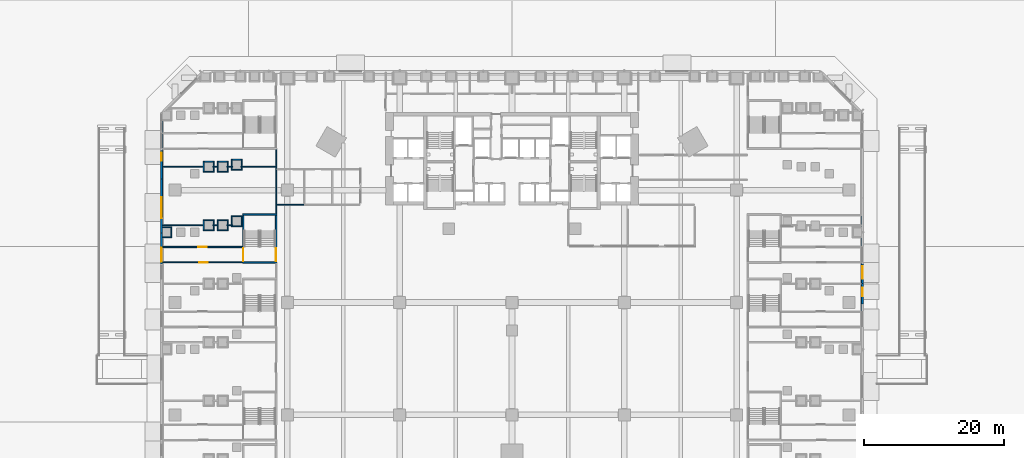
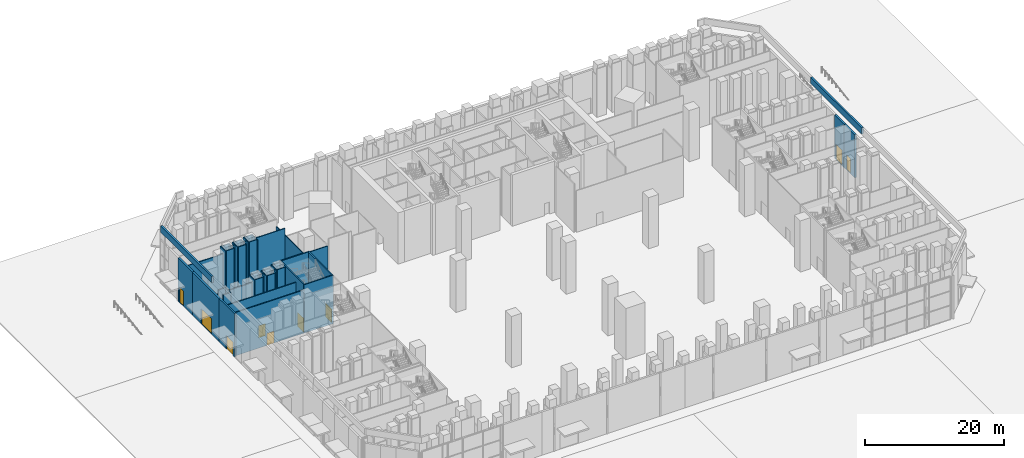
# One storey, part 23 of 51: 49 walls, 9 doors, 9 openings.
"""IFC4 building model written with IfcOpenShell, lengths in metres."""

import ifcopenshell
import ifcopenshell.guid

model = None  # the IFC model being written
_history = None  # IfcOwnerHistory: only IFC2X3 demands one
_inside = {}  # id of a spatial element -> (the spatial element, [elements in it])
_under = {}  # id of a project, library or spatial element -> (it, [spatial elements below it])
_declared = {}  # id of a project -> (the project, [libraries it declares])
_typed = {}  # id of a type object -> (the type object, [elements of that type])
_made_of = {}  # id of a material, layer set ... -> (it, [elements and type objects made of it])


def new_model(schema):
    """Start an empty IFC model of exactly this schema.

    Asked for "IFC4X3", IfcOpenShell would pick the latest addendum, in which some entities
    have other attributes; the version numbers below select the first issue.
    IFC2X3 requires an IfcOwnerHistory on every rooted entity: one is made here for all.
    """
    global model, _history
    if schema == "IFC4X3":
        model = ifcopenshell.file(schema_version=(4, 3, 0, 0))
    else:
        model = ifcopenshell.file(schema=schema)
    _inside.clear()
    _under.clear()
    _declared.clear()
    _typed.clear()
    _made_of.clear()
    _history = None
    if model.schema == "IFC2X3":
        org = make("IfcOrganization", Name="unknown")
        user = make(
            "IfcPersonAndOrganization",
            ThePerson=make("IfcPerson", FamilyName="unknown"),
            TheOrganization=org,
        )
        app = make(
            "IfcApplication",
            ApplicationDeveloper=org,
            Version="unknown",
            ApplicationFullName="unknown",
            ApplicationIdentifier="unknown",
        )
        _history = make(
            "IfcOwnerHistory",
            OwningUser=user,
            OwningApplication=app,
            ChangeAction="ADDED",
            CreationDate=0,
        )
    return model


def make(cls, **values):
    """One entity of the class cls with the attributes given. An attribute that is None is left unset."""
    return model.create_entity(
        cls, **{name: value for name, value in values.items() if value is not None}
    )


def rooted(cls, **values):
    """An entity with a GlobalId (a new one), such as an element, a storey or a relation."""
    return make(cls, GlobalId=ifcopenshell.guid.new(), OwnerHistory=_history, **values)


def si_unit(unit_type, name, prefix=None):
    """IfcSIUnit, for example si_unit("LENGTHUNIT", "METRE", prefix="MILLI")."""
    return make("IfcSIUnit", UnitType=unit_type, Prefix=prefix, Name=name)


def assignment(units):
    """IfcUnitAssignment: the units of a project."""
    return None if units is None else make("IfcUnitAssignment", Units=units)


def point(xyz):
    """IfcCartesianPoint."""
    return None if xyz is None else make("IfcCartesianPoint", Coordinates=xyz)


def direction(xyz):
    """IfcDirection."""
    return None if xyz is None else make("IfcDirection", DirectionRatios=xyz)


def frame(location, z_axis=None, x_axis=None):
    """IfcAxis2Placement3D, a coordinate frame: its origin and axes. An axis left out is left unset."""
    return make(
        "IfcAxis2Placement3D",
        Location=point(location),
        Axis=direction(z_axis),
        RefDirection=direction(x_axis),
    )


def frame_2d(location, x_axis=None):
    """IfcAxis2Placement2D, a coordinate frame in the plane: its origin and x axis."""
    return make(
        "IfcAxis2Placement2D", Location=point(location), RefDirection=direction(x_axis)
    )


def origin():
    """The frame at (0, 0, 0) with its axes left unset."""
    return frame((0.0, 0.0, 0.0))


def place(relative_to, where):
    """IfcLocalPlacement: puts the frame where relative to a parent placement (None: the world)."""
    return make(
        "IfcLocalPlacement", PlacementRelTo=relative_to, RelativePlacement=where
    )


def context(
    kind, dimensions, precision=None, world=None, true_north=None, identifier=None
):
    """IfcGeometricRepresentationContext, for example the 3D "Model" context."""
    return make(
        "IfcGeometricRepresentationContext",
        ContextIdentifier=identifier,
        ContextType=kind,
        CoordinateSpaceDimension=dimensions,
        Precision=precision,
        WorldCoordinateSystem=world,
        TrueNorth=true_north,
    )


def subcontext(parent, identifier, kind, view, scale=None):
    """IfcGeometricRepresentationSubContext, for example "Body" below "Model"."""
    return make(
        "IfcGeometricRepresentationSubContext",
        ContextIdentifier=identifier,
        ContextType=kind,
        ParentContext=parent,
        TargetScale=scale,
        TargetView=view,
    )


def project(units=None, contexts=None):
    """IfcProject with its units and contexts."""
    return rooted(
        "IfcProject",
        Name="project",
        RepresentationContexts=contexts,
        UnitsInContext=assignment(units),
    )


def spatial(cls, under=None, at=None, **own):
    """A site, building, storey or space (cls), placed at a placement, below another one or the project."""
    s = rooted(cls, ObjectPlacement=at, **own)
    if under is not None:
        _under.setdefault(under.id(), (under, []))[1].append(s)
    return s


def profile(cls, at=None, kind="AREA", **sizes):
    """A parametric profile (cls). Its sizes go by their IFC names, for example OverallWidth=200.0."""
    return make(cls, ProfileType=kind, Position=at, **sizes)


def rectangle(**sizes):
    """IfcRectangleProfileDef."""
    return profile("IfcRectangleProfileDef", **sizes)


def extrude(swept, where, along, depth):
    """IfcExtrudedAreaSolid: the profile swept, set in the frame where, extruded along a direction by depth."""
    return make(
        "IfcExtrudedAreaSolid",
        SweptArea=swept,
        Position=where,
        ExtrudedDirection=direction(along),
        Depth=depth,
    )


def shape(context_of_items, identifier, shape_type, items):
    """IfcShapeRepresentation: the items that make up one representation, for example the "Body"."""
    return make(
        "IfcShapeRepresentation",
        ContextOfItems=context_of_items,
        RepresentationIdentifier=identifier,
        RepresentationType=shape_type,
        Items=items,
    )


def material(Name=None, Category=None):
    """IfcMaterial."""
    return make("IfcMaterial", Name=Name, Category=Category)


def layer(
    of_material, thickness, ventilated=None, Name=None, Category=None, Priority=None
):
    """IfcMaterialLayer: one layer of a wall or slab, of a material (None: an air gap)."""
    return make(
        "IfcMaterialLayer",
        Material=of_material,
        LayerThickness=thickness,
        IsVentilated=ventilated,
        Name=Name,
        Category=Category,
        Priority=Priority,
    )


def layer_set(layers, Name=None):
    """IfcMaterialLayerSet."""
    return make("IfcMaterialLayerSet", MaterialLayers=layers, LayerSetName=Name)


def made_of(thing, what):
    """Note that an element or type object is made of a material, layer set ...; save() writes the relation."""
    if what is not None:
        _made_of.setdefault(what.id(), (what, []))[1].append(thing)
    return thing


def type_object(cls, material=None, **own):
    """A type object (cls), such as IfcWallType, which elements share."""
    return made_of(rooted(cls, **own), material)


def element(
    cls,
    number,
    at=None,
    inside=None,
    cuts=None,
    type_object=None,
    material=None,
    context=None,
    identifier="Body",
    shape_type=None,
    held_by="IfcProductDefinitionShape",
    body=None,
    shapes=None,
    **own,
):
    """One element of the class cls, such as IfcWall. Its Tag is "e" and its number.

    at: its placement. inside: the storey or other place that contains it. cuts: it is an
    opening in that element (IfcRelVoidsElement). A single representation is given by context,
    identifier, shape_type and body (its items); several are given by shapes. held_by: the class
    of the entity that holds the representations. save() writes the other relations.
    """
    e = rooted(cls, Tag="e%d" % number, ObjectPlacement=at, **own)
    if body is not None:
        shapes = [shape(context, identifier, shape_type, body)]
    if shapes is not None:
        e.Representation = make(held_by, Representations=shapes)
    if inside is not None:
        _inside.setdefault(inside.id(), (inside, []))[1].append(e)
    if cuts is not None:
        rooted(
            "IfcRelVoidsElement", RelatingBuildingElement=cuts, RelatedOpeningElement=e
        )
    if type_object is not None:
        _typed.setdefault(type_object.id(), (type_object, []))[1].append(e)
    return made_of(e, material)


def fill(opening, filler):
    """IfcRelFillsElement: the door or window that sits in an opening."""
    return rooted(
        "IfcRelFillsElement",
        RelatingOpeningElement=opening,
        RelatedBuildingElement=filler,
    )


def aggregate(whole, parts):
    """IfcRelAggregates: a whole, such as a stair, and the parts it consists of."""
    return rooted("IfcRelAggregates", RelatingObject=whole, RelatedObjects=parts)


def save(model, path):
    """Write the relations noted so far, then the file.

    IfcRelAggregates (storeys below a building ...), IfcRelContainedInSpatialStructure (elements
    in a storey), IfcRelDefinesByType, IfcRelAssociatesMaterial and IfcRelDeclares: one each for
    every whole, place, type object, material and project.
    """
    for whole, parts in _under.values():
        aggregate(whole, parts)
    for where, things in _inside.values():
        rooted(
            "IfcRelContainedInSpatialStructure",
            RelatedElements=things,
            RelatingStructure=where,
        )
    for kind, things in _typed.values():
        rooted("IfcRelDefinesByType", RelatedObjects=things, RelatingType=kind)
    for what, things in _made_of.values():
        rooted("IfcRelAssociatesMaterial", RelatedObjects=things, RelatingMaterial=what)
    for by, libraries in _declared.values():
        rooted("IfcRelDeclares", RelatingContext=by, RelatedDefinitions=libraries)
    model.write(path)


model = new_model("IFC4")

# Units and contexts
model_context = context("Model", 3, precision=1e-05, world=origin(), true_north=direction((0.0, 1.0)))
body_context = subcontext(model_context, "Body", "Model", "MODEL_VIEW")
ifc_project = project(units=[si_unit("LENGTHUNIT", "METRE"), si_unit("AREAUNIT", "SQUARE_METRE"), si_unit("VOLUMEUNIT", "CUBIC_METRE"), si_unit("PLANEANGLEUNIT", "RADIAN"), si_unit("MASSUNIT", "GRAM", prefix="KILO")], contexts=[model_context])

# Site, building, storey
site_placement = place(None, origin())
site = spatial("IfcSite", under=ifc_project, at=site_placement, CompositionType="ELEMENT")
building_placement = place(site_placement, origin())
building = spatial("IfcBuilding", under=site, at=building_placement, Name="Calabash Gate Tower", CompositionType="ELEMENT")
storey_placement = place(building_placement, origin())
storey = spatial("IfcBuildingStorey", under=building, at=storey_placement, Name="L00", CompositionType="ELEMENT", Elevation=0.0)

# Wall, opening, door
ifc_material_1 = material(Name="Gypsum board on steel studs, mineral wool", Category="steel")
ifc_layer_1 = layer(ifc_material_1, 0.14990234375)
ifc_layer_set_1 = layer_set([ifc_layer_1], Name="Partition 150 gypsum board")
wall_type_1 = type_object("IfcWallType", Name="Partition 150 gypsum board", PredefinedType="PARTITIONING", material=ifc_layer_set_1)
wall_1_placement = place(storey_placement, frame((-49.719970703125, -2.300537109375, 0.0), z_axis=(0.0, 0.0, 1.0), x_axis=(1.0, 0.0, 0.0)))
wall_1 = element("IfcWall", 1, at=wall_1_placement, inside=storey, type_object=wall_type_1, Name="Partition", PredefinedType="PARTITIONING", context=body_context, shape_type="SweptSolid", body=[
    extrude(rectangle(XDim=11.31005859375, YDim=0.15087890625, at=frame_2d((5.655029296875, 0.0))), origin(), (0.0, 0.0, 1.0), 7.60009765625),
])
opening_1_placement = place(wall_1_placement, frame((5.15478515625, 0.0, 0.0)))
opening_1 = element("IfcOpeningElement", 2, at=opening_1_placement, cuts=wall_1, Name="Opening L00-092", PredefinedType="OPENING", context=body_context, shape_type="SweptSolid", body=[
    extrude(rectangle(XDim=1.199951171875, YDim=2.10009765625, at=frame_2d((0.60009765625, 1.050048828125))), frame((0.0, 0.08544921875, 0.0), z_axis=(0.0, -1.0, 0.0), x_axis=(1.0, 0.0, 0.0)), (0.0, 0.0, 1.0), 0.1708984375),
])
ifc_material_2 = material(Name="Steel fire door set with fire-resisting glazing", Category="steel")
door_type_1 = type_object("IfcDoorType", Name="Fire door D09 1200x2100 FD60", OperationType="NOTDEFINED", PredefinedType="DOOR", material=ifc_material_2)
door_1_placement = place(opening_1_placement, origin())
door_1 = element("IfcDoor", 3, at=door_1_placement, inside=storey, type_object=door_type_1, Name="Shop 07 door", OperationType="SINGLE_SWING_LEFT", OverallHeight=2.10009765625, OverallWidth=1.199951171875, PredefinedType="DOOR", context=body_context, shape_type="SweptSolid", body=[
    extrude(rectangle(XDim=1.199951171875, YDim=2.10009765625, at=frame_2d((0.60009765625, 1.050048828125))), frame((0.0, 0.02490234375, 0.0), z_axis=(0.0, -1.0, 0.0), x_axis=(1.0, 0.0, 0.0)), (0.0, 0.0, 1.0), 0.050048828125),
])
fill(opening_1, door_1)

wall_2_placement = place(storey_placement, frame((-49.719970703125, -0.099609375, 0.0), z_axis=(0.0, 0.0, 1.0), x_axis=(1.0, 0.0, 0.0)))
wall_2 = element("IfcWall", 4, at=wall_2_placement, inside=storey, type_object=wall_type_1, Name="Partition", PredefinedType="PARTITIONING", context=body_context, shape_type="SweptSolid", body=[
    extrude(rectangle(XDim=11.31005859375, YDim=0.15087890625, at=frame_2d((5.655029296875, 0.0))), origin(), (0.0, 0.0, 1.0), 7.60009765625),
])
opening_2_placement = place(wall_2_placement, frame((5.070068359375, 0.0, 0.0)))
opening_2 = element("IfcOpeningElement", 5, at=opening_2_placement, cuts=wall_2, Name="Opening L00-093", PredefinedType="OPENING", context=body_context, shape_type="SweptSolid", body=[
    extrude(rectangle(XDim=1.199951171875, YDim=2.10009765625, at=frame_2d((0.60009765625, 1.050048828125))), frame((0.0, 0.08544921875, 0.0), z_axis=(0.0, -1.0, 0.0), x_axis=(1.0, 0.0, 0.0)), (0.0, 0.0, 1.0), 0.1708984375),
])
ifc_material_3 = material(Name="Painted timber door", Category="wood")
door_type_2 = type_object("IfcDoorType", Name="Door D19 1200x2100", OperationType="NOTDEFINED", PredefinedType="DOOR", material=ifc_material_3)
door_2_placement = place(opening_2_placement, origin())
door_2 = element("IfcDoor", 6, at=door_2_placement, inside=storey, type_object=door_type_2, Name="Shop 07 door", OperationType="SINGLE_SWING_LEFT", OverallHeight=2.10009765625, OverallWidth=1.199951171875, PredefinedType="DOOR", context=body_context, shape_type="SweptSolid", body=[
    extrude(rectangle(XDim=1.199951171875, YDim=2.10009765625, at=frame_2d((0.60009765625, 1.050048828125))), frame((0.0, 0.02490234375, 0.0), z_axis=(0.0, -1.0, 0.0), x_axis=(1.0, 0.0, 0.0)), (0.0, 0.0, 1.0), 0.050048828125),
])
fill(opening_2, door_2)

# Walls
wall_3_placement = place(storey_placement, frame((-49.719970703125, 1.301025390625, 0.0), z_axis=(0.0, 0.0, 1.0), x_axis=(1.0, 0.0, 0.0)))
element("IfcWall", 7, at=wall_3_placement, inside=storey, type_object=wall_type_1, Name="Partition", PredefinedType="PARTITIONING", context=body_context, shape_type="SweptSolid", body=[
    extrude(rectangle(XDim=1.294921875, YDim=0.14990234375, at=frame_2d((0.6474609375, 0.0))), origin(), (0.0, 0.0, 1.0), 8.5),
])
wall_4_placement = place(storey_placement, frame((-48.5, 1.3759765625, 0.0), z_axis=(0.0, 0.0, 1.0), x_axis=(0.0, 1.0, 0.0)))
element("IfcWall", 8, at=wall_4_placement, inside=storey, type_object=wall_type_1, Name="Partition", PredefinedType="PARTITIONING", context=body_context, shape_type="SweptSolid", body=[
    extrude(rectangle(XDim=1.25, YDim=0.14990234375, at=frame_2d((0.625, 0.0))), origin(), (0.0, 0.0, 1.0), 8.5),
])
wall_5_placement = place(storey_placement, frame((-43.89990234375, 2.22607421875, 0.0), z_axis=(0.0, 0.0, 1.0), x_axis=(0.0, 1.0, 0.0)))
element("IfcWall", 9, at=wall_5_placement, inside=storey, type_object=wall_type_1, Name="Partition", PredefinedType="PARTITIONING", context=body_context, shape_type="SweptSolid", body=[
    extrude(rectangle(XDim=1.5498046875, YDim=0.14990234375, at=frame_2d((0.77490234375, 0.0))), origin(), (0.0, 0.0, 1.0), 8.5),
])
wall_6_placement = place(storey_placement, frame((-43.824951171875, 2.301025390625, 0.0), z_axis=(0.0, 0.0, 1.0), x_axis=(1.0, 0.0, 0.0)))
element("IfcWall", 10, at=wall_6_placement, inside=storey, type_object=wall_type_1, Name="Partition", PredefinedType="PARTITIONING", context=body_context, shape_type="SweptSolid", body=[
    extrude(rectangle(XDim=1.25, YDim=0.14990234375, at=frame_2d((0.625, 0.0))), origin(), (0.0, 0.0, 1.0), 8.5),
])
for number, where, z_axis, x_axis, name in (
    (11, (-42.5, 2.22607421875, 0.0), (0.0, 0.0, 1.0), (0.0, 1.0, 0.0), "Partition"),
    (12, (-41.89990234375, 2.22607421875, 0.0), (0.0, 0.0, 1.0), (0.0, 1.0, 0.0), "Partition"),
):
    element("IfcWall", number, at=place(storey_placement, frame(where, z_axis=z_axis, x_axis=x_axis)), inside=storey, type_object=wall_type_1, Name=name, PredefinedType="PARTITIONING", context=body_context, shape_type="SweptSolid", body=[
        extrude(rectangle(XDim=1.5498046875, YDim=0.14990234375, at=frame_2d((0.77490234375, 0.0))), origin(), (0.0, 0.0, 1.0), 8.5),
    ])
wall_7_placement = place(storey_placement, frame((-41.824951171875, 2.301025390625, 0.0), z_axis=(0.0, 0.0, 1.0), x_axis=(1.0, 0.0, 0.0)))
element("IfcWall", 13, at=wall_7_placement, inside=storey, type_object=wall_type_1, Name="Partition", PredefinedType="PARTITIONING", context=body_context, shape_type="SweptSolid", body=[
    extrude(rectangle(XDim=1.25, YDim=0.14990234375, at=frame_2d((0.625, 0.0))), origin(), (0.0, 0.0, 1.0), 8.5),
])
wall_8_placement = place(storey_placement, frame((-40.5, 2.22607421875, 0.0), z_axis=(0.0, 0.0, 1.0), x_axis=(0.0, 1.0, 0.0)))
element("IfcWall", 14, at=wall_8_placement, inside=storey, type_object=wall_type_1, Name="Partition", PredefinedType="PARTITIONING", context=body_context, shape_type="SweptSolid", body=[
    extrude(rectangle(XDim=1.5498046875, YDim=0.14990234375, at=frame_2d((0.77490234375, 0.0))), origin(), (0.0, 0.0, 1.0), 8.5),
])
wall_9_placement = place(storey_placement, frame((-49.719970703125, 2.700927734375, 0.0), z_axis=(0.0, 0.0, 1.0), x_axis=(1.0, 0.0, 0.0)))
element("IfcWall", 15, at=wall_9_placement, inside=storey, type_object=wall_type_1, Name="Partition", PredefinedType="PARTITIONING", context=body_context, shape_type="SweptSolid", body=[
    extrude(rectangle(XDim=1.294921875, YDim=0.14990234375, at=frame_2d((0.6474609375, 0.0))), origin(), (0.0, 0.0, 1.0), 8.5),
])
wall_10_placement = place(storey_placement, frame((-39.89990234375, 2.797119140625, 0.0), z_axis=(0.0, 0.0, 1.0), x_axis=(0.0, 1.0, 0.0)))
element("IfcWall", 16, at=wall_10_placement, inside=storey, type_object=wall_type_1, Name="Partition", PredefinedType="PARTITIONING", context=body_context, shape_type="SweptSolid", body=[
    extrude(rectangle(XDim=1.5498046875, YDim=0.14990234375, at=frame_2d((0.77490234375, 0.0))), origin(), (0.0, 0.0, 1.0), 8.5),
])
wall_11_placement = place(storey_placement, frame((-39.824951171875, 2.8720703125, 0.0), z_axis=(0.0, 0.0, 1.0), x_axis=(1.0, 0.0, 0.0)))
element("IfcWall", 17, at=wall_11_placement, inside=storey, type_object=wall_type_1, Name="Partition", PredefinedType="PARTITIONING", context=body_context, shape_type="SweptSolid", body=[
    extrude(rectangle(XDim=1.25, YDim=0.14990234375, at=frame_2d((0.625, 0.0))), origin(), (0.0, 0.0, 1.0), 8.5),
])
wall_12_placement = place(storey_placement, frame((-38.5, 2.797119140625, 0.0), z_axis=(0.0, 0.0, 1.0), x_axis=(0.0, 1.0, 0.0)))
element("IfcWall", 18, at=wall_12_placement, inside=storey, type_object=wall_type_1, Name="Partition", PredefinedType="PARTITIONING", context=body_context, shape_type="SweptSolid", body=[
    extrude(rectangle(XDim=1.5498046875, YDim=0.14990234375, at=frame_2d((0.77490234375, 0.0))), origin(), (0.0, 0.0, 1.0), 8.5),
])
wall_13_placement = place(storey_placement, frame((-49.719970703125, 3.0, 0.0), z_axis=(0.0, 0.0, 1.0), x_axis=(1.0, 0.0, 0.0)))
element("IfcWall", 19, at=wall_13_placement, inside=storey, type_object=wall_type_1, Name="Partition", PredefinedType="PARTITIONING", context=body_context, shape_type="SweptSolid", body=[
    extrude(rectangle(XDim=5.919921875, YDim=0.14990234375, at=frame_2d((2.9599609375, 0.0))), origin(), (0.0, 0.0, 1.0), 7.60009765625),
])
for number, where, z_axis, x_axis, name in (
    (20, (-42.60009765625, 3.0, 0.0), (0.0, 0.0, 1.0), (1.0, 0.0, 0.0), "Partition"),
    (21, (-40.60009765625, 3.0, 0.0), (0.0, 0.0, 1.0), (1.0, 0.0, 0.0), "Partition"),
):
    element("IfcWall", number, at=place(storey_placement, frame(where, z_axis=z_axis, x_axis=x_axis)), inside=storey, type_object=wall_type_1, Name=name, PredefinedType="PARTITIONING", context=body_context, shape_type="SweptSolid", body=[
        extrude(rectangle(XDim=0.800048828125, YDim=0.14990234375, at=frame_2d((0.39990234375, 0.0))), origin(), (0.0, 0.0, 1.0), 8.5),
    ])
for number, where, z_axis, x_axis, name in (
    (22, (-43.824951171875, 3.700927734375, 0.0), (0.0, 0.0, 1.0), (1.0, 0.0, 0.0), "Partition"),
    (23, (-41.824951171875, 3.700927734375, 0.0), (0.0, 0.0, 1.0), (1.0, 0.0, 0.0), "Partition"),
    (24, (-39.824951171875, 4.27197265625, 0.0), (0.0, 0.0, 1.0), (1.0, 0.0, 0.0), "Partition"),
):
    element("IfcWall", number, at=place(storey_placement, frame(where, z_axis=z_axis, x_axis=x_axis)), inside=storey, type_object=wall_type_1, Name=name, PredefinedType="PARTITIONING", context=body_context, shape_type="SweptSolid", body=[
        extrude(rectangle(XDim=1.25, YDim=0.14990234375, at=frame_2d((0.625, 0.0))), origin(), (0.0, 0.0, 1.0), 8.5),
    ])
wall_14_placement = place(storey_placement, frame((-33.60009765625, 4.68994140625, 0.0), z_axis=(0.0, 0.0, 1.0), x_axis=(0.0, 1.0, 0.0)))
element("IfcWall", 25, at=wall_14_placement, inside=storey, type_object=wall_type_1, Name="Partition", PredefinedType="PARTITIONING", context=body_context, shape_type="SweptSolid", body=[
    extrude(rectangle(XDim=9.070068359375, YDim=0.14990234375, at=frame_2d((4.53515625, 0.0))), origin(), (0.0, 0.0, 1.0), 7.300048828125),
])
wall_15_placement = place(storey_placement, frame((-33.52490234375, 5.89990234375, 0.0), z_axis=(0.0, 0.0, 1.0), x_axis=(1.0, 0.0, 0.0)))
element("IfcWall", 26, at=wall_15_placement, inside=storey, type_object=wall_type_1, Name="Partition", PredefinedType="PARTITIONING", context=body_context, shape_type="SweptSolid", body=[
    extrude(rectangle(XDim=3.849853515625, YDim=0.14990234375, at=frame_2d((1.9248046875, 0.0))), origin(), (0.0, 0.0, 1.0), 7.300048828125),
])
wall_16_placement = place(storey_placement, frame((-43.89990234375, 10.56005859375, 0.0), z_axis=(0.0, 0.0, 1.0), x_axis=(0.0, 1.0, 0.0)))
element("IfcWall", 27, at=wall_16_placement, inside=storey, type_object=wall_type_1, Name="Partition", PredefinedType="PARTITIONING", context=body_context, shape_type="SweptSolid", body=[
    extrude(rectangle(XDim=1.550048828125, YDim=0.14990234375, at=frame_2d((0.77490234375, 0.0))), origin(), (0.0, 0.0, 1.0), 8.5),
])
wall_17_placement = place(storey_placement, frame((-43.824951171875, 10.635009765625, 0.0), z_axis=(0.0, 0.0, 1.0), x_axis=(1.0, 0.0, 0.0)))
element("IfcWall", 28, at=wall_17_placement, inside=storey, type_object=wall_type_1, Name="Partition", PredefinedType="PARTITIONING", context=body_context, shape_type="SweptSolid", body=[
    extrude(rectangle(XDim=1.25, YDim=0.14990234375, at=frame_2d((0.625, 0.0))), origin(), (0.0, 0.0, 1.0), 8.5),
])
for number, where, z_axis, x_axis, name in (
    (29, (-42.5, 10.56005859375, 0.0), (0.0, 0.0, 1.0), (0.0, 1.0, 0.0), "Partition"),
    (30, (-41.89990234375, 10.56005859375, 0.0), (0.0, 0.0, 1.0), (0.0, 1.0, 0.0), "Partition"),
):
    element("IfcWall", number, at=place(storey_placement, frame(where, z_axis=z_axis, x_axis=x_axis)), inside=storey, type_object=wall_type_1, Name=name, PredefinedType="PARTITIONING", context=body_context, shape_type="SweptSolid", body=[
        extrude(rectangle(XDim=1.550048828125, YDim=0.14990234375, at=frame_2d((0.77490234375, 0.0))), origin(), (0.0, 0.0, 1.0), 8.5),
    ])
wall_18_placement = place(storey_placement, frame((-41.824951171875, 10.635009765625, 0.0), z_axis=(0.0, 0.0, 1.0), x_axis=(1.0, 0.0, 0.0)))
element("IfcWall", 31, at=wall_18_placement, inside=storey, type_object=wall_type_1, Name="Partition", PredefinedType="PARTITIONING", context=body_context, shape_type="SweptSolid", body=[
    extrude(rectangle(XDim=1.25, YDim=0.14990234375, at=frame_2d((0.625, 0.0))), origin(), (0.0, 0.0, 1.0), 8.5),
])
for number, where, z_axis, x_axis, name in (
    (32, (-40.5, 10.56005859375, 0.0), (0.0, 0.0, 1.0), (0.0, 1.0, 0.0), "Partition"),
    (33, (-39.89990234375, 10.844970703125, 0.0), (0.0, 0.0, 1.0), (0.0, 1.0, 0.0), "Partition"),
):
    element("IfcWall", number, at=place(storey_placement, frame(where, z_axis=z_axis, x_axis=x_axis)), inside=storey, type_object=wall_type_1, Name=name, PredefinedType="PARTITIONING", context=body_context, shape_type="SweptSolid", body=[
        extrude(rectangle(XDim=1.550048828125, YDim=0.14990234375, at=frame_2d((0.77490234375, 0.0))), origin(), (0.0, 0.0, 1.0), 8.5),
    ])
wall_19_placement = place(storey_placement, frame((-39.824951171875, 10.919921875, 0.0), z_axis=(0.0, 0.0, 1.0), x_axis=(1.0, 0.0, 0.0)))
element("IfcWall", 34, at=wall_19_placement, inside=storey, type_object=wall_type_1, Name="Partition", PredefinedType="PARTITIONING", context=body_context, shape_type="SweptSolid", body=[
    extrude(rectangle(XDim=1.25, YDim=0.14990234375, at=frame_2d((0.625, 0.0))), origin(), (0.0, 0.0, 1.0), 8.5),
])
wall_20_placement = place(storey_placement, frame((-38.5, 10.844970703125, 0.0), z_axis=(0.0, 0.0, 1.0), x_axis=(0.0, 1.0, 0.0)))
element("IfcWall", 35, at=wall_20_placement, inside=storey, type_object=wall_type_1, Name="Partition", PredefinedType="PARTITIONING", context=body_context, shape_type="SweptSolid", body=[
    extrude(rectangle(XDim=1.550048828125, YDim=0.14990234375, at=frame_2d((0.77490234375, 0.0))), origin(), (0.0, 0.0, 1.0), 8.5),
])
wall_21_placement = place(storey_placement, frame((-49.719970703125, 11.330078125, 0.0), z_axis=(0.0, 0.0, 1.0), x_axis=(1.0, 0.0, 0.0)))
element("IfcWall", 36, at=wall_21_placement, inside=storey, type_object=wall_type_1, Name="Partition", PredefinedType="PARTITIONING", context=body_context, shape_type="SweptSolid", body=[
    extrude(rectangle(XDim=5.919921875, YDim=0.14990234375, at=frame_2d((2.9599609375, 0.0))), origin(), (0.0, 0.0, 1.0), 7.60009765625),
])
for number, where, z_axis, x_axis, name in (
    (37, (-42.60009765625, 11.330078125, 0.0), (0.0, 0.0, 1.0), (1.0, 0.0, 0.0), "Partition"),
    (38, (-40.60009765625, 11.330078125, 0.0), (0.0, 0.0, 1.0), (1.0, 0.0, 0.0), "Partition"),
):
    element("IfcWall", number, at=place(storey_placement, frame(where, z_axis=z_axis, x_axis=x_axis)), inside=storey, type_object=wall_type_1, Name=name, PredefinedType="PARTITIONING", context=body_context, shape_type="SweptSolid", body=[
        extrude(rectangle(XDim=0.800048828125, YDim=0.14990234375, at=frame_2d((0.39990234375, 0.0))), origin(), (0.0, 0.0, 1.0), 8.5),
    ])
wall_22_placement = place(storey_placement, frame((-38.60009765625, 11.330078125, 0.0), z_axis=(0.0, 0.0, 1.0), x_axis=(1.0, 0.0, 0.0)))
element("IfcWall", 39, at=wall_22_placement, inside=storey, type_object=wall_type_1, Name="Partition", PredefinedType="PARTITIONING", context=body_context, shape_type="SweptSolid", body=[
    extrude(rectangle(XDim=4.925048828125, YDim=0.14990234375, at=frame_2d((2.46240234375, 0.0))), origin(), (0.0, 0.0, 1.0), 8.5),
])
for number, where, z_axis, x_axis, name in (
    (40, (-43.824951171875, 12.034912109375, 0.0), (0.0, 0.0, 1.0), (1.0, 0.0, 0.0), "Partition"),
    (41, (-41.824951171875, 12.034912109375, 0.0), (0.0, 0.0, 1.0), (1.0, 0.0, 0.0), "Partition"),
    (42, (-39.824951171875, 12.320068359375, 0.0), (0.0, 0.0, 1.0), (1.0, 0.0, 0.0), "Partition"),
):
    element("IfcWall", number, at=place(storey_placement, frame(where, z_axis=z_axis, x_axis=x_axis)), inside=storey, type_object=wall_type_1, Name=name, PredefinedType="PARTITIONING", context=body_context, shape_type="SweptSolid", body=[
        extrude(rectangle(XDim=1.25, YDim=0.14990234375, at=frame_2d((0.625, 0.0))), origin(), (0.0, 0.0, 1.0), 8.5),
    ])

# Wall, opening, door
ifc_material_4 = material(Name="Aluminium framed entrance wall with insulated spandrel", Category="aluminium")
ifc_layer_2 = layer(ifc_material_4, 0.300048828125)
ifc_layer_set_2 = layer_set([ifc_layer_2], Name="Podium entrance wall 300")
wall_type_2 = type_object("IfcWallType", Name="Podium entrance wall 300", PredefinedType="ELEMENTEDWALL", material=ifc_layer_set_2)
wall_23_placement = place(storey_placement, frame((49.89990234375, -8.248046875, 0.0), z_axis=(0.0, 0.0, 1.0), x_axis=(0.0, 1.0, 0.0)))
wall_23 = element("IfcWall", 43, at=wall_23_placement, inside=storey, type_object=wall_type_2, Name="Entrance door wall L00", PredefinedType="ELEMENTEDWALL", context=body_context, shape_type="SweptSolid", body=[
    extrude(rectangle(XDim=2.97705078125, YDim=0.300048828125, at=frame_2d((1.488525390625, 0.0))), origin(), (0.0, 0.0, 1.0), 7.60009765625),
])
opening_3_placement = place(wall_23_placement, frame((1.152099609375, 0.0, 0.0)))
opening_3 = element("IfcOpeningElement", 44, at=opening_3_placement, cuts=wall_23, Name="Opening L00-012", PredefinedType="OPENING", context=body_context, shape_type="SweptSolid", body=[
    extrude(rectangle(XDim=1.199951171875, YDim=2.699951171875, at=frame_2d((0.60009765625, 1.35009765625))), frame((0.0, 0.159912109375, 0.0), z_axis=(0.0, -1.0, 0.0), x_axis=(1.0, 0.0, 0.0)), (0.0, 0.0, 1.0), 0.320068359375),
])
ifc_material_5 = material(Name="Anodised aluminium frame, bronze finish, impact-rated laminated clear glazing", Category="aluminium")
door_type_3 = type_object("IfcDoorType", Name="Podium door DE120 1200x2700", OperationType="DOUBLE_DOOR_SINGLE_SWING", PredefinedType="DOOR", material=ifc_material_5)
door_3_placement = place(opening_3_placement, origin())
door_3 = element("IfcDoor", 45, at=door_3_placement, inside=storey, type_object=door_type_3, Name="Entrance door L00", OperationType="DOUBLE_DOOR_SINGLE_SWING", OverallHeight=2.699951171875, OverallWidth=1.199951171875, PredefinedType="DOOR", context=body_context, shape_type="SweptSolid", body=[
    extrude(rectangle(XDim=1.199951171875, YDim=2.699951171875, at=frame_2d((0.60009765625, 1.35009765625))), frame((0.0, 0.02490234375, 0.0), z_axis=(0.0, -1.0, 0.0), x_axis=(1.0, 0.0, 0.0)), (0.0, 0.0, 1.0), 0.050048828125),
])
fill(opening_3, door_3)

wall_24_placement = place(storey_placement, frame((49.89990234375, -5.27099609375, 0.0), z_axis=(0.0, 0.0, 1.0), x_axis=(0.0, 1.0, 0.0)))
wall_24 = element("IfcWall", 46, at=wall_24_placement, inside=storey, type_object=wall_type_2, Name="Entrance door wall L00", PredefinedType="ELEMENTEDWALL", context=body_context, shape_type="SweptSolid", body=[
    extrude(rectangle(XDim=2.748046875, YDim=0.300048828125, at=frame_2d((1.3740234375, 0.0))), origin(), (0.0, 0.0, 1.0), 7.60009765625),
])
opening_4_placement = place(wall_24_placement, frame((0.625, 0.0, 0.0)))
opening_4 = element("IfcOpeningElement", 47, at=opening_4_placement, cuts=wall_24, Name="Opening L00-013", PredefinedType="OPENING", context=body_context, shape_type="SweptSolid", body=[
    extrude(rectangle(XDim=1.800048828125, YDim=2.699951171875, at=frame_2d((0.89990234375, 1.35009765625))), frame((0.0, 0.159912109375, 0.0), z_axis=(0.0, -1.0, 0.0), x_axis=(1.0, 0.0, 0.0)), (0.0, 0.0, 1.0), 0.320068359375),
])
ifc_material_6 = material(Name="Anodised aluminium frame, bronze finish, impact-rated laminated clear glazing", Category="aluminium")
door_type_4 = type_object("IfcDoorType", Name="Podium door DE180 1800x2700", OperationType="DOUBLE_DOOR_SINGLE_SWING", PredefinedType="DOOR", material=ifc_material_6)
door_4_placement = place(opening_4_placement, origin())
door_4 = element("IfcDoor", 48, at=door_4_placement, inside=storey, type_object=door_type_4, Name="Entrance door L00", OperationType="DOUBLE_DOOR_SINGLE_SWING", OverallHeight=2.699951171875, OverallWidth=1.800048828125, PredefinedType="DOOR", context=body_context, shape_type="SweptSolid", body=[
    extrude(rectangle(XDim=1.800048828125, YDim=2.699951171875, at=frame_2d((0.89990234375, 1.35009765625))), frame((0.0, 0.02490234375, 0.0), z_axis=(0.0, -1.0, 0.0), x_axis=(1.0, 0.0, 0.0)), (0.0, 0.0, 1.0), 0.050048828125),
])
fill(opening_4, door_4)

wall_25_placement = place(storey_placement, frame((-49.89990234375, 13.673095703125, 0.0), z_axis=(0.0, 0.0, 1.0), x_axis=(0.0, -1.0, 0.0)))
wall_25 = element("IfcWall", 49, at=wall_25_placement, inside=storey, type_object=wall_type_2, Name="Entrance door wall L00", PredefinedType="ELEMENTEDWALL", context=body_context, shape_type="SweptSolid", body=[
    extrude(rectangle(XDim=4.10205078125, YDim=0.300048828125, at=frame_2d((2.051025390625, 0.0))), origin(), (0.0, 0.0, 1.0), 7.60009765625),
])
opening_5_placement = place(wall_25_placement, frame((0.326904296875, 0.0, 0.0)))
opening_5 = element("IfcOpeningElement", 50, at=opening_5_placement, cuts=wall_25, Name="Opening L00-021", PredefinedType="OPENING", context=body_context, shape_type="SweptSolid", body=[
    extrude(rectangle(XDim=1.199951171875, YDim=2.699951171875, at=frame_2d((0.60009765625, 1.35009765625))), frame((0.0, 0.159912109375, 0.0), z_axis=(0.0, -1.0, 0.0), x_axis=(1.0, 0.0, 0.0)), (0.0, 0.0, 1.0), 0.320068359375),
])
door_5_placement = place(opening_5_placement, origin())
door_5 = element("IfcDoor", 51, at=door_5_placement, inside=storey, type_object=door_type_3, Name="Entrance door L00", OperationType="DOUBLE_DOOR_SINGLE_SWING", OverallHeight=2.699951171875, OverallWidth=1.199951171875, PredefinedType="DOOR", context=body_context, shape_type="SweptSolid", body=[
    extrude(rectangle(XDim=1.199951171875, YDim=2.699951171875, at=frame_2d((0.60009765625, 1.35009765625))), frame((0.0, 0.02490234375, 0.0), z_axis=(0.0, -1.0, 0.0), x_axis=(1.0, 0.0, 0.0)), (0.0, 0.0, 1.0), 0.050048828125),
])
fill(opening_5, door_5)

wall_26_placement = place(storey_placement, frame((-49.89990234375, 9.571044921875, 0.0), z_axis=(0.0, 0.0, 1.0), x_axis=(0.0, -1.0, 0.0)))
wall_26 = element("IfcWall", 52, at=wall_26_placement, inside=storey, type_object=wall_type_2, Name="Entrance door wall L00", PredefinedType="ELEMENTEDWALL", context=body_context, shape_type="SweptSolid", body=[
    extrude(rectangle(XDim=7.673095703125, YDim=0.300048828125, at=frame_2d((3.83642578125, 0.0))), origin(), (0.0, 0.0, 1.0), 7.60009765625),
])
opening_6_placement = place(wall_26_placement, frame((2.574951171875, 0.0, 0.0)))
opening_6 = element("IfcOpeningElement", 53, at=opening_6_placement, cuts=wall_26, Name="Opening L00-022", PredefinedType="OPENING", context=body_context, shape_type="SweptSolid", body=[
    extrude(rectangle(XDim=3.0, YDim=2.699951171875, at=frame_2d((1.5, 1.35009765625))), frame((0.0, 0.159912109375, 0.0), z_axis=(0.0, -1.0, 0.0), x_axis=(1.0, 0.0, 0.0)), (0.0, 0.0, 1.0), 0.320068359375),
])
ifc_material_7 = material(Name="Anodised aluminium frame, bronze finish, impact-rated laminated clear glazing", Category="aluminium")
door_type_5 = type_object("IfcDoorType", Name="Podium door DE300 3000x2700", OperationType="DOUBLE_DOOR_SINGLE_SWING", PredefinedType="DOOR", material=ifc_material_7)
door_6_placement = place(opening_6_placement, origin())
door_6 = element("IfcDoor", 54, at=door_6_placement, inside=storey, type_object=door_type_5, Name="Entrance door L00", OperationType="DOUBLE_DOOR_SINGLE_SWING", OverallHeight=2.699951171875, OverallWidth=3.0, PredefinedType="DOOR", context=body_context, shape_type="SweptSolid", body=[
    extrude(rectangle(XDim=3.0, YDim=2.699951171875, at=frame_2d((1.5, 1.35009765625))), frame((0.0, 0.02490234375, 0.0), z_axis=(0.0, -1.0, 0.0), x_axis=(1.0, 0.0, 0.0)), (0.0, 0.0, 1.0), 0.050048828125),
])
fill(opening_6, door_6)

wall_27_placement = place(storey_placement, frame((-49.89990234375, 1.89794921875, 0.0), z_axis=(0.0, 0.0, 1.0), x_axis=(0.0, -1.0, 0.0)))
wall_27 = element("IfcWall", 55, at=wall_27_placement, inside=storey, type_object=wall_type_2, Name="Exit door wall L00", PredefinedType="ELEMENTEDWALL", context=body_context, shape_type="SweptSolid", body=[
    extrude(rectangle(XDim=4.425048828125, YDim=0.300048828125, at=frame_2d((2.21240234375, 0.0))), origin(), (0.0, 0.0, 1.0), 7.60009765625),
])
opening_7_placement = place(wall_27_placement, frame((2.097900390625, 0.0, 0.0)))
opening_7 = element("IfcOpeningElement", 56, at=opening_7_placement, cuts=wall_27, Name="Opening L00-023", PredefinedType="OPENING", context=body_context, shape_type="SweptSolid", body=[
    extrude(rectangle(XDim=2.0, YDim=2.39990234375, at=frame_2d((1.0, 1.199951171875))), frame((0.0, 0.159912109375, 0.0), z_axis=(0.0, -1.0, 0.0), x_axis=(1.0, 0.0, 0.0)), (0.0, 0.0, 1.0), 0.320068359375),
])
ifc_material_8 = material(Name="Steel, powder coated, glazed vision panel", Category="steel")
door_type_6 = type_object("IfcDoorType", Name="Podium door DX200 2000x2400", OperationType="DOUBLE_DOOR_SINGLE_SWING", PredefinedType="DOOR", material=ifc_material_8)
door_7_placement = place(opening_7_placement, origin())
door_7 = element("IfcDoor", 57, at=door_7_placement, inside=storey, type_object=door_type_6, Name="Exit door L00", OperationType="DOUBLE_DOOR_SINGLE_SWING", OverallHeight=2.39990234375, OverallWidth=2.0, PredefinedType="DOOR", context=body_context, shape_type="SweptSolid", body=[
    extrude(rectangle(XDim=2.0, YDim=2.39990234375, at=frame_2d((1.0, 1.199951171875))), frame((0.0, 0.02490234375, 0.0), z_axis=(0.0, -1.0, 0.0), x_axis=(1.0, 0.0, 0.0)), (0.0, 0.0, 1.0), 0.050048828125),
])
fill(opening_7, door_7)

# Walls
ifc_material_9 = material(Name="Terracotta brick masonry, exposed face", Category="masonry")
ifc_layer_3 = layer(ifc_material_9, 0.300048828125)
ifc_layer_set_3 = layer_set([ifc_layer_3], Name="Podium parapet wall 300")
wall_type_3 = type_object("IfcWallType", Name="Podium parapet wall 300", PredefinedType="PARAPET", material=ifc_layer_set_3)
for number, where, z_axis, x_axis, name in (
    (58, (49.85009765625, -10.39501953125, 9.0), (0.0, 0.0, 1.0), (0.0, 1.0, 0.0), "Podium parapet L00 2.0.2"),
    (59, (-49.85009765625, 18.7900390625, 9.0), (0.0, 0.0, 1.0), (0.0, -1.0, 0.0), "Podium parapet L00 6.0.0"),
):
    element("IfcWall", number, at=place(storey_placement, frame(where, z_axis=z_axis, x_axis=x_axis)), inside=storey, type_object=wall_type_3, Name=name, PredefinedType="PARAPET", context=body_context, shape_type="SweptSolid", body=[
        extrude(rectangle(XDim=14.697509765625, YDim=0.300048828125, at=frame_2d((7.3486328125, 0.0))), origin(), (0.0, 0.0, 1.0), 1.10009765625),
    ])
ifc_material_10 = material(Name="Concrete C40/50", Category="concrete")
ifc_layer_4 = layer(ifc_material_10, 0.199951171875)
ifc_layer_set_4 = layer_set([ifc_layer_4], Name="Stair wall 200 Concrete C40/50")
wall_type_4 = type_object("IfcWallType", Name="Stair wall 200 Concrete C40/50", PredefinedType="SOLIDWALL", material=ifc_layer_set_4)
for number, where, z_axis, x_axis, name in (
    (60, (-38.3701171875, -2.300048828125, 0.0), (0.0, 0.0, 1.0), (1.0, 0.0, 0.0), "Stair wall"),
    (61, (-38.3701171875, 4.550048828125, 0.0), (0.0, 0.0, 1.0), (1.0, 0.0, 0.0), "Stair wall"),
):
    element("IfcWall", number, at=place(storey_placement, frame(where, z_axis=z_axis, x_axis=x_axis)), inside=storey, type_object=wall_type_4, Name=name, PredefinedType="SOLIDWALL", context=body_context, shape_type="SweptSolid", body=[
        extrude(rectangle(XDim=4.8701171875, YDim=0.199951171875, at=frame_2d((2.43505859375, 0.0))), origin(), (0.0, 0.0, 1.0), 8.5),
    ])

# Wall, opening, door
wall_28_placement = place(storey_placement, frame((-38.27001953125, -2.199951171875, 0.0), z_axis=(0.0, 0.0, 1.0), x_axis=(0.0, 1.0, 0.0)))
wall_28 = element("IfcWall", 62, at=wall_28_placement, inside=storey, type_object=wall_type_4, Name="Stair wall", PredefinedType="SOLIDWALL", context=body_context, shape_type="SweptSolid", body=[
    extrude(rectangle(XDim=6.64990234375, YDim=0.199951171875, at=frame_2d((3.324951171875, 0.0))), origin(), (0.0, 0.0, 1.0), 8.5),
])
opening_8_placement = place(wall_28_placement, frame((0.10009765625, 0.0, 0.0)))
opening_8 = element("IfcOpeningElement", 63, at=opening_8_placement, cuts=wall_28, Name="Opening L00-057", PredefinedType="OPENING", context=body_context, shape_type="SweptSolid", body=[
    extrude(rectangle(XDim=1.800048828125, YDim=2.39990234375, at=frame_2d((0.89990234375, 1.199951171875))), frame((0.0, 0.10986328125, 0.0), z_axis=(0.0, -1.0, 0.0), x_axis=(1.0, 0.0, 0.0)), (0.0, 0.0, 1.0), 0.219970703125),
])
ifc_material_11 = material(Name="Steel fire door set with fire-resisting glazing", Category="steel")
door_type_7 = type_object("IfcDoorType", Name="Double fire door D16 1800x2400 FD90", OperationType="DOUBLE_DOOR_SINGLE_SWING", PredefinedType="DOOR", material=ifc_material_11)
door_8_placement = place(opening_8_placement, origin())
door_8 = element("IfcDoor", 64, at=door_8_placement, inside=storey, type_object=door_type_7, Name="Exit stair door PS4", OperationType="DOUBLE_DOOR_SINGLE_SWING", OverallHeight=2.39990234375, OverallWidth=1.800048828125, PredefinedType="DOOR", context=body_context, shape_type="SweptSolid", body=[
    extrude(rectangle(XDim=1.800048828125, YDim=2.39990234375, at=frame_2d((0.89990234375, 1.199951171875))), frame((0.0, 0.02490234375, 0.0), z_axis=(0.0, -1.0, 0.0), x_axis=(1.0, 0.0, 0.0)), (0.0, 0.0, 1.0), 0.050048828125),
])
fill(opening_8, door_8)

wall_29_placement = place(storey_placement, frame((-33.60009765625, -2.199951171875, 0.0), z_axis=(0.0, 0.0, 1.0), x_axis=(0.0, 1.0, 0.0)))
wall_29 = element("IfcWall", 65, at=wall_29_placement, inside=storey, type_object=wall_type_4, Name="Stair wall", PredefinedType="SOLIDWALL", context=body_context, shape_type="SweptSolid", body=[
    extrude(rectangle(XDim=6.64990234375, YDim=0.199951171875, at=frame_2d((3.324951171875, 0.0))), origin(), (0.0, 0.0, 1.0), 8.5),
])
opening_9_placement = place(wall_29_placement, frame((0.10009765625, 0.0, 0.0)))
opening_9 = element("IfcOpeningElement", 66, at=opening_9_placement, cuts=wall_29, Name="Opening L00-056", PredefinedType="OPENING", context=body_context, shape_type="SweptSolid", body=[
    extrude(rectangle(XDim=1.800048828125, YDim=2.39990234375, at=frame_2d((0.89990234375, 1.199951171875))), frame((0.0, 0.10986328125, 0.0), z_axis=(0.0, -1.0, 0.0), x_axis=(1.0, 0.0, 0.0)), (0.0, 0.0, 1.0), 0.219970703125),
])
door_9_placement = place(opening_9_placement, origin())
door_9 = element("IfcDoor", 67, at=door_9_placement, inside=storey, type_object=door_type_7, Name="Exit stair door PS4", OperationType="DOUBLE_DOOR_SINGLE_SWING", OverallHeight=2.39990234375, OverallWidth=1.800048828125, PredefinedType="DOOR", context=body_context, shape_type="SweptSolid", body=[
    extrude(rectangle(XDim=1.800048828125, YDim=2.39990234375, at=frame_2d((0.89990234375, 1.199951171875))), frame((0.0, 0.02490234375, 0.0), z_axis=(0.0, -1.0, 0.0), x_axis=(1.0, 0.0, 0.0)), (0.0, 0.0, 1.0), 0.050048828125),
])
fill(opening_9, door_9)

save(model, "model.ifc")
